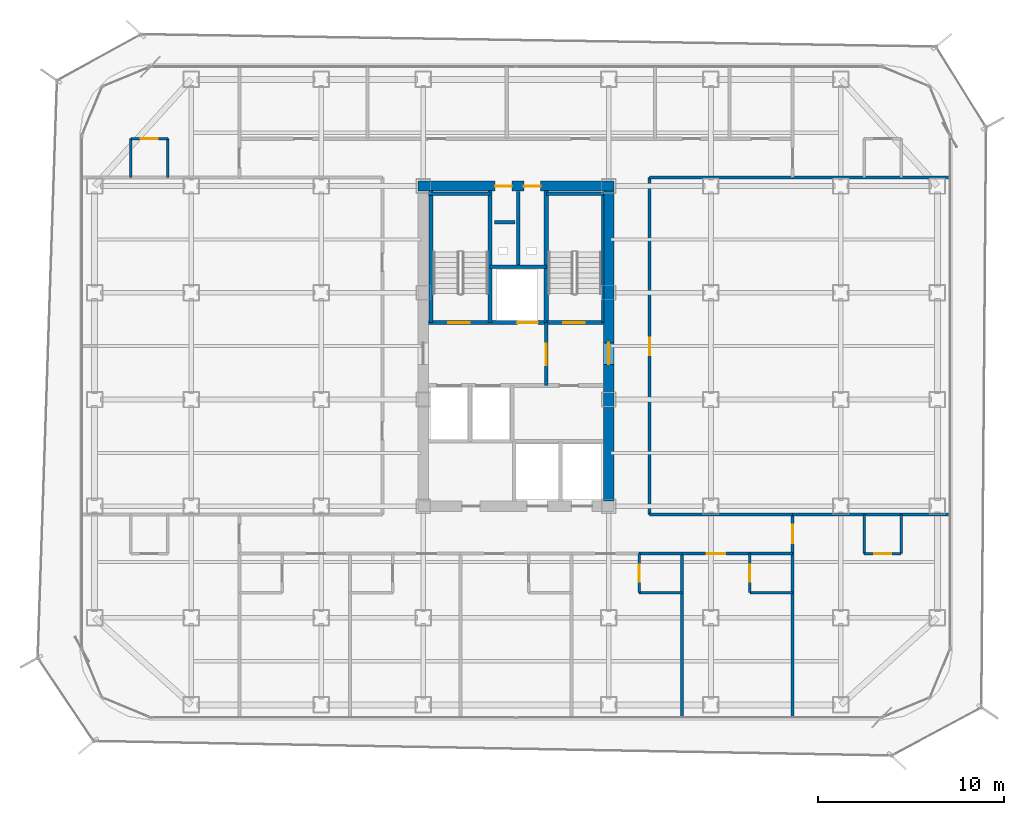
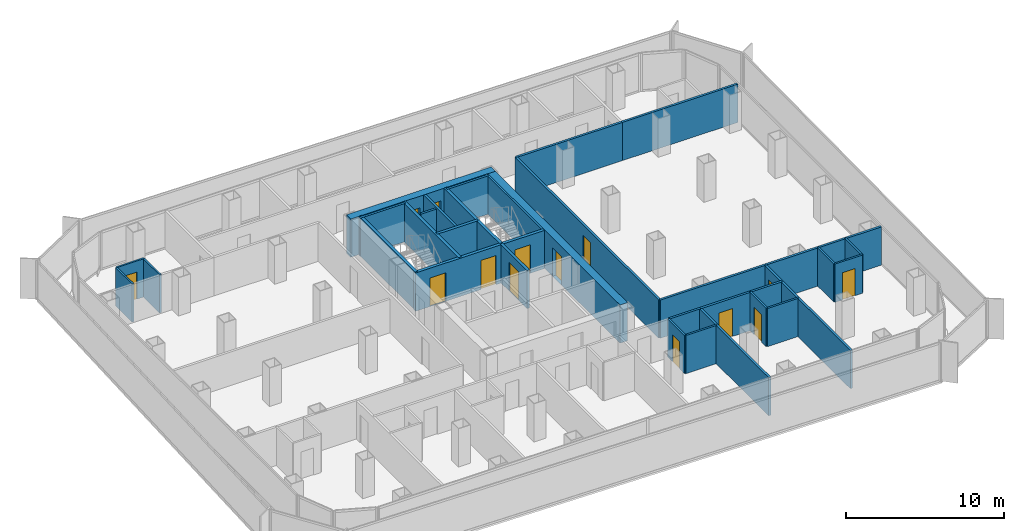
# One storey, part 17 of 21: 34 walls, 14 doors, 14 openings.
"""IFC4 building model written with IfcOpenShell, lengths in metres."""

from ifc_helpers import new_model, si_unit, direction, frame, frame_2d, origin, place, context, subcontext, project, spatial, rectangle, extrude, material, layer, layer_set, type_object, element, fill, save


model = new_model("IFC4")

# Units and contexts
model_context = context("Model", 3, precision=1e-05, world=origin(), true_north=direction((0.0, 1.0)))
body_context = subcontext(model_context, "Body", "Model", "MODEL_VIEW")
ifc_project = project(units=[si_unit("LENGTHUNIT", "METRE"), si_unit("AREAUNIT", "SQUARE_METRE"), si_unit("VOLUMEUNIT", "CUBIC_METRE"), si_unit("PLANEANGLEUNIT", "RADIAN"), si_unit("MASSUNIT", "GRAM", prefix="KILO")], contexts=[model_context])

# Site, building, storey
site_placement = place(None, origin())
site = spatial("IfcSite", under=ifc_project, at=site_placement, CompositionType="ELEMENT")
building_placement = place(site_placement, origin())
building = spatial("IfcBuilding", under=site, at=building_placement, Name="Kolveth Station Tower", CompositionType="ELEMENT")
storey_placement = place(building_placement, frame((0.0, 0.0, 111.89990234375)))
storey = spatial("IfcBuildingStorey", under=building, at=storey_placement, Name="L30", CompositionType="ELEMENT", Elevation=111.89990234375)

# Wall, openings, doors
ifc_material_1 = material(Name="Concrete C60/75", Category="concrete")
ifc_layer_1 = layer(ifc_material_1, 0.550048828125)
ifc_layer_set_1 = layer_set([ifc_layer_1], Name="Concrete C60/75")
wall_type_1 = type_object("IfcWallType", Name="Wall_CW-550", PredefinedType="SHEAR", material=ifc_layer_set_1)
wall_1_placement = place(storey_placement, frame((18.22509765625, 28.75, 0.0), z_axis=(0.0, 0.0, 1.0), x_axis=(1.0, 0.0, 0.0)))
wall_1 = element("IfcWall", 1, at=wall_1_placement, inside=storey, type_object=wall_type_1, Name="L30 Core RC Shear Wall N", PredefinedType="SHEAR", context=body_context, shape_type="SweptSolid", body=[
    extrude(rectangle(XDim=10.5498046875, YDim=0.550048828125, at=frame_2d((5.27490234375, 0.0))), origin(), (0.0, 0.0, 1.0), 2.9501953125),
])
opening_1_placement = place(wall_1_placement, frame((4.155029296875, 0.0, 0.0)))
opening_1 = element("IfcOpeningElement", 2, at=opening_1_placement, cuts=wall_1, Name="Opening RD1", PredefinedType="OPENING", context=body_context, shape_type="SweptSolid", body=[
    extrude(rectangle(XDim=0.89990234375, YDim=2.050048828125, at=frame_2d((0.449951171875, 1.02490234375))), frame((0.0, 0.284912109375, 0.0), z_axis=(0.0, -1.0, 0.0), x_axis=(1.0, 0.0, 0.0)), (0.0, 0.0, 1.0), 0.570068359375),
])
opening_2_placement = place(wall_1_placement, frame((5.695068359375, 0.0, 0.0)))
opening_2 = element("IfcOpeningElement", 3, at=opening_2_placement, cuts=wall_1, Name="Opening RD1", PredefinedType="OPENING", context=body_context, shape_type="SweptSolid", body=[
    extrude(rectangle(XDim=0.89990234375, YDim=2.050048828125, at=frame_2d((0.449951171875, 1.02490234375))), frame((0.0, 0.284912109375, 0.0), z_axis=(0.0, -1.0, 0.0), x_axis=(1.0, 0.0, 0.0)), (0.0, 0.0, 1.0), 0.570068359375),
])
ifc_material_2 = material(Name="Fire-rated Steel S355 riser access leaf", Category="steel")
door_type_1 = type_object("IfcDoorType", Name="Door_RD1", OperationType="NOTDEFINED", PredefinedType="DOOR", material=ifc_material_2)
door_1_placement = place(opening_1_placement, origin())
door_1 = element("IfcDoor", 4, at=door_1_placement, inside=storey, type_object=door_type_1, Name="L30 Electrical Riser Access Door", OperationType="SINGLE_SWING_LEFT", OverallHeight=2.050048828125, OverallWidth=0.89990234375, PredefinedType="DOOR", context=body_context, shape_type="SweptSolid", body=[
    extrude(rectangle(XDim=0.89990234375, YDim=2.050048828125, at=frame_2d((0.449951171875, 1.02490234375))), frame((0.0, 0.02490234375, 0.0), z_axis=(0.0, -1.0, 0.0), x_axis=(1.0, 0.0, 0.0)), (0.0, 0.0, 1.0), 0.050048828125),
])
fill(opening_1, door_1)
door_2_placement = place(opening_2_placement, origin())
door_2 = element("IfcDoor", 5, at=door_2_placement, inside=storey, type_object=door_type_1, Name="L30 Smoke Duct Access Door", OperationType="SINGLE_SWING_RIGHT", OverallHeight=2.050048828125, OverallWidth=0.89990234375, PredefinedType="DOOR", context=body_context, shape_type="SweptSolid", body=[
    extrude(rectangle(XDim=0.89990234375, YDim=2.050048828125, at=frame_2d((0.449951171875, 1.02490234375))), frame((0.0, 0.02490234375, 0.0), z_axis=(0.0, -1.0, 0.0), x_axis=(1.0, 0.0, 0.0)), (0.0, 0.0, 1.0), 0.050048828125),
])
fill(opening_2, door_2)

# Wall, opening, door
wall_2_placement = place(storey_placement, frame((28.5, 11.77490234375, 0.0), z_axis=(0.0, 0.0, 1.0), x_axis=(0.0, 1.0, 0.0)))
wall_2 = element("IfcWall", 6, at=wall_2_placement, inside=storey, type_object=wall_type_1, Name="L30 Core RC Shear Wall E", PredefinedType="SHEAR", context=body_context, shape_type="SweptSolid", body=[
    extrude(rectangle(XDim=16.7001953125, YDim=0.550048828125, at=frame_2d((8.35009765625, 0.0))), origin(), (0.0, 0.0, 1.0), 2.9501953125),
])
opening_3_placement = place(wall_2_placement, frame((7.375, 0.0, 0.0)))
opening_3 = element("IfcOpeningElement", 7, at=opening_3_placement, cuts=wall_2, Name="Opening FD1", PredefinedType="OPENING", context=body_context, shape_type="SweptSolid", body=[
    extrude(rectangle(XDim=1.14990234375, YDim=2.199951171875, at=frame_2d((0.574951171875, 1.10009765625))), frame((0.0, 0.284912109375, 0.0), z_axis=(0.0, -1.0, 0.0), x_axis=(1.0, 0.0, 0.0)), (0.0, 0.0, 1.0), 0.570068359375),
])
ifc_material_3 = material(Name="Fire-rated Steel S355 leaf and frame", Category="steel")
door_type_2 = type_object("IfcDoorType", Name="Door_FD1", OperationType="NOTDEFINED", PredefinedType="DOOR", material=ifc_material_3)
door_3_placement = place(opening_3_placement, origin())
door_3 = element("IfcDoor", 8, at=door_3_placement, inside=storey, type_object=door_type_2, Name="L30 East Corridor to Stair Lobby Door", OperationType="SINGLE_SWING_RIGHT", OverallHeight=2.199951171875, OverallWidth=1.14990234375, PredefinedType="DOOR", context=body_context, shape_type="SweptSolid", body=[
    extrude(rectangle(XDim=1.14990234375, YDim=2.199951171875, at=frame_2d((0.574951171875, 1.10009765625))), frame((0.0, 0.02490234375, 0.0), z_axis=(0.0, -1.0, 0.0), x_axis=(1.0, 0.0, 0.0)), (0.0, 0.0, 1.0), 0.050048828125),
])
fill(opening_3, door_3)

# Walls
ifc_material_4 = material(Name="Moisture-resistant gypsum partition")
ifc_layer_2 = layer(ifc_material_4, 0.135009765625)
ifc_layer_set_2 = layer_set([ifc_layer_2], Name="Moisture-resistant gypsum partition")
wall_type_2 = type_object("IfcWallType", Name="Wall_IW-135", PredefinedType="PARTITIONING", material=ifc_layer_set_2)
wall_3_placement = place(storey_placement, frame((28.16748046875, 21.389892578125, 0.0), z_axis=(0.0, 0.0, 1.0), x_axis=(0.0, 1.0, 0.0)))
element("IfcWall", 9, at=wall_3_placement, inside=storey, type_object=wall_type_2, Name="L30 Stair Shaft Wall WL-L30-ST2-E", PredefinedType="PARTITIONING", context=body_context, shape_type="SweptSolid", body=[
    extrude(rectangle(XDim=6.945068359375, YDim=0.135009765625, at=frame_2d((3.47265625, 0.0))), origin(), (0.0, 0.0, 1.0), 2.9501953125),
])
for number, where, z_axis, x_axis, name in (
    (10, (2.75, 29.199951171875, 0.0), (0.0, 0.0, 1.0), (0.0, 1.0, 0.0), "L30 Partition Wall WL-L30-WS2-BV1"),
    (11, (4.75, 29.199951171875, 0.0), (0.0, 0.0, 1.0), (0.0, 1.0, 0.0), "L30 Partition Wall WL-L30-WS2-BV2"),
):
    element("IfcWall", number, at=place(storey_placement, frame(where, z_axis=z_axis, x_axis=x_axis)), inside=storey, type_object=wall_type_2, Name=name, PredefinedType="PARTITIONING", context=body_context, shape_type="SweptSolid", body=[
        extrude(rectangle(XDim=2.10009765625, YDim=0.135009765625, at=frame_2d((1.050048828125, 0.0))), origin(), (0.0, 0.0, 1.0), 2.9501953125),
    ])

# Wall, opening, door
wall_4_placement = place(storey_placement, frame((2.75, 31.300048828125, 0.0), z_axis=(0.0, 0.0, 1.0), x_axis=(1.0, 0.0, 0.0)))
wall_4 = element("IfcWall", 12, at=wall_4_placement, inside=storey, type_object=wall_type_2, Name="L30 Partition Wall WL-L30-WS2-BH", PredefinedType="PARTITIONING", context=body_context, shape_type="SweptSolid", body=[
    extrude(rectangle(XDim=2.0, YDim=0.135009765625, at=frame_2d((1.0, 0.0))), origin(), (0.0, 0.0, 1.0), 2.9501953125),
])
opening_4_placement = place(wall_4_placement, frame((0.5400390625, 0.0, 0.0)))
opening_4 = element("IfcOpeningElement", 13, at=opening_4_placement, cuts=wall_4, Name="Opening ID2", PredefinedType="OPENING", context=body_context, shape_type="SweptSolid", body=[
    extrude(rectangle(XDim=0.919921875, YDim=2.10009765625, at=frame_2d((0.4599609375, 1.050048828125))), frame((0.0, 0.077392578125, 0.0), z_axis=(0.0, -1.0, 0.0), x_axis=(1.0, 0.0, 0.0)), (0.0, 0.0, 1.0), 0.155029296875),
])
ifc_material_5 = material(Name="Moisture-resistant hardwood leaf", Category="wood")
door_type_3 = type_object("IfcDoorType", Name="Door_ID2", OperationType="NOTDEFINED", PredefinedType="DOOR", material=ifc_material_5)
door_4_placement = place(opening_4_placement, frame((0.919921875, 0.0, 0.0), z_axis=(0.0, 0.0, 1.0), x_axis=(-1.0, 0.0, 0.0)))
door_4 = element("IfcDoor", 14, at=door_4_placement, inside=storey, type_object=door_type_3, Name="L30 Hotel Corner Suite WS2 En-Suite Door", OperationType="SINGLE_SWING_RIGHT", OverallHeight=2.10009765625, OverallWidth=0.919921875, PredefinedType="DOOR", context=body_context, shape_type="SweptSolid", body=[
    extrude(rectangle(XDim=0.919921875, YDim=2.10009765625, at=frame_2d((0.4599609375, 1.050048828125))), frame((0.0, 0.02490234375, 0.0), z_axis=(0.0, -1.0, 0.0), x_axis=(1.0, 0.0, 0.0)), (0.0, 0.0, 1.0), 0.050048828125),
])
fill(opening_4, door_4)

# Walls
for number, where, z_axis, x_axis, name in (
    (15, (42.25, 8.949951171875, 0.0), (0.0, 0.0, 1.0), (0.0, 1.0, 0.0), "L30 Partition Wall WL-L30-ES1-BV1"),
    (16, (44.25, 8.949951171875, 0.0), (0.0, 0.0, 1.0), (0.0, 1.0, 0.0), "L30 Partition Wall WL-L30-ES1-BV2"),
):
    element("IfcWall", number, at=place(storey_placement, frame(where, z_axis=z_axis, x_axis=x_axis)), inside=storey, type_object=wall_type_2, Name=name, PredefinedType="PARTITIONING", context=body_context, shape_type="SweptSolid", body=[
        extrude(rectangle(XDim=2.10009765625, YDim=0.135009765625, at=frame_2d((1.050048828125, 0.0))), origin(), (0.0, 0.0, 1.0), 2.9501953125),
    ])

# Wall, opening, door
wall_5_placement = place(storey_placement, frame((42.25, 8.949951171875, 0.0), z_axis=(0.0, 0.0, 1.0), x_axis=(1.0, 0.0, 0.0)))
wall_5 = element("IfcWall", 17, at=wall_5_placement, inside=storey, type_object=wall_type_2, Name="L30 Partition Wall WL-L30-ES1-BH", PredefinedType="PARTITIONING", context=body_context, shape_type="SweptSolid", body=[
    extrude(rectangle(XDim=2.0, YDim=0.135009765625, at=frame_2d((1.0, 0.0))), origin(), (0.0, 0.0, 1.0), 2.9501953125),
])
opening_5_placement = place(wall_5_placement, frame((0.5400390625, 0.0, 0.0)))
opening_5 = element("IfcOpeningElement", 18, at=opening_5_placement, cuts=wall_5, Name="Opening ID2", PredefinedType="OPENING", context=body_context, shape_type="SweptSolid", body=[
    extrude(rectangle(XDim=0.919921875, YDim=2.10009765625, at=frame_2d((0.4599609375, 1.050048828125))), frame((0.0, 0.077392578125, 0.0), z_axis=(0.0, -1.0, 0.0), x_axis=(1.0, 0.0, 0.0)), (0.0, 0.0, 1.0), 0.155029296875),
])
door_5_placement = place(opening_5_placement, origin())
door_5 = element("IfcDoor", 19, at=door_5_placement, inside=storey, type_object=door_type_3, Name="L30 Hotel Corner Suite ES1 En-Suite Door", OperationType="SINGLE_SWING_LEFT", OverallHeight=2.10009765625, OverallWidth=0.919921875, PredefinedType="DOOR", context=body_context, shape_type="SweptSolid", body=[
    extrude(rectangle(XDim=0.919921875, YDim=2.10009765625, at=frame_2d((0.4599609375, 1.050048828125))), frame((0.0, 0.02490234375, 0.0), z_axis=(0.0, -1.0, 0.0), x_axis=(1.0, 0.0, 0.0)), (0.0, 0.0, 1.0), 0.050048828125),
])
fill(opening_5, door_5)

wall_6_placement = place(storey_placement, frame((30.139892578125, 6.85009765625, 0.0), z_axis=(0.0, 0.0, 1.0), x_axis=(0.0, 1.0, 0.0)))
wall_6 = element("IfcWall", 20, at=wall_6_placement, inside=storey, type_object=wall_type_2, Name="L30 Partition Wall WL-L30-HS4-BV", PredefinedType="PARTITIONING", context=body_context, shape_type="SweptSolid", body=[
    extrude(rectangle(XDim=2.099853515625, YDim=0.135009765625, at=frame_2d((1.0498046875, 0.0))), origin(), (0.0, 0.0, 1.0), 2.9501953125),
])
opening_6_placement = place(wall_6_placement, frame((0.580078125, 0.0, 0.0)))
opening_6 = element("IfcOpeningElement", 21, at=opening_6_placement, cuts=wall_6, Name="Opening ID2", PredefinedType="OPENING", context=body_context, shape_type="SweptSolid", body=[
    extrude(rectangle(XDim=0.919921875, YDim=2.10009765625, at=frame_2d((0.4599609375, 1.050048828125))), frame((0.0, 0.077392578125, 0.0), z_axis=(0.0, -1.0, 0.0), x_axis=(1.0, 0.0, 0.0)), (0.0, 0.0, 1.0), 0.155029296875),
])
door_6_placement = place(opening_6_placement, origin())
door_6 = element("IfcDoor", 22, at=door_6_placement, inside=storey, type_object=door_type_3, Name="L30 Hotel Guest Room HS4 En-Suite Door", OperationType="SINGLE_SWING_LEFT", OverallHeight=2.10009765625, OverallWidth=0.919921875, PredefinedType="DOOR", context=body_context, shape_type="SweptSolid", body=[
    extrude(rectangle(XDim=0.919921875, YDim=2.10009765625, at=frame_2d((0.4599609375, 1.050048828125))), frame((0.0, 0.02490234375, 0.0), z_axis=(0.0, -1.0, 0.0), x_axis=(1.0, 0.0, 0.0)), (0.0, 0.0, 1.0), 0.050048828125),
])
fill(opening_6, door_6)

# Wall
wall_7_placement = place(storey_placement, frame((30.139892578125, 6.85009765625, 0.0), z_axis=(0.0, 0.0, 1.0), x_axis=(1.0, 0.0, 0.0)))
element("IfcWall", 23, at=wall_7_placement, inside=storey, type_object=wall_type_2, Name="L30 Partition Wall WL-L30-HS4-BH", PredefinedType="PARTITIONING", context=body_context, shape_type="SweptSolid", body=[
    extrude(rectangle(XDim=2.300048828125, YDim=0.135009765625, at=frame_2d((1.14990234375, 0.0))), origin(), (0.0, 0.0, 1.0), 2.9501953125),
])

# Wall, opening, door
wall_8_placement = place(storey_placement, frame((36.10009765625, 6.85009765625, 0.0), z_axis=(0.0, 0.0, 1.0), x_axis=(0.0, 1.0, 0.0)))
wall_8 = element("IfcWall", 24, at=wall_8_placement, inside=storey, type_object=wall_type_2, Name="L30 Partition Wall WL-L30-HS5-BV", PredefinedType="PARTITIONING", context=body_context, shape_type="SweptSolid", body=[
    extrude(rectangle(XDim=2.099853515625, YDim=0.135009765625, at=frame_2d((1.0498046875, 0.0))), origin(), (0.0, 0.0, 1.0), 2.9501953125),
])
opening_7_placement = place(wall_8_placement, frame((0.580078125, 0.0, 0.0)))
opening_7 = element("IfcOpeningElement", 25, at=opening_7_placement, cuts=wall_8, Name="Opening ID2", PredefinedType="OPENING", context=body_context, shape_type="SweptSolid", body=[
    extrude(rectangle(XDim=0.919921875, YDim=2.10009765625, at=frame_2d((0.4599609375, 1.050048828125))), frame((0.0, 0.077392578125, 0.0), z_axis=(0.0, -1.0, 0.0), x_axis=(1.0, 0.0, 0.0)), (0.0, 0.0, 1.0), 0.155029296875),
])
door_7_placement = place(opening_7_placement, origin())
door_7 = element("IfcDoor", 26, at=door_7_placement, inside=storey, type_object=door_type_3, Name="L30 Hotel Guest Room HS5 En-Suite Door", OperationType="SINGLE_SWING_RIGHT", OverallHeight=2.10009765625, OverallWidth=0.919921875, PredefinedType="DOOR", context=body_context, shape_type="SweptSolid", body=[
    extrude(rectangle(XDim=0.919921875, YDim=2.10009765625, at=frame_2d((0.4599609375, 1.050048828125))), frame((0.0, 0.02490234375, 0.0), z_axis=(0.0, -1.0, 0.0), x_axis=(1.0, 0.0, 0.0)), (0.0, 0.0, 1.0), 0.050048828125),
])
fill(opening_7, door_7)

# Walls
wall_9_placement = place(storey_placement, frame((36.10009765625, 6.85009765625, 0.0), z_axis=(0.0, 0.0, 1.0), x_axis=(1.0, 0.0, 0.0)))
element("IfcWall", 27, at=wall_9_placement, inside=storey, type_object=wall_type_2, Name="L30 Partition Wall WL-L30-HS5-BH", PredefinedType="PARTITIONING", context=body_context, shape_type="SweptSolid", body=[
    extrude(rectangle(XDim=2.2998046875, YDim=0.135009765625, at=frame_2d((1.14990234375, 0.0))), origin(), (0.0, 0.0, 1.0), 2.9501953125),
])
ifc_material_6 = material(Name="Acoustic double-stud gypsum partition")
ifc_layer_3 = layer(ifc_material_6, 0.1650390625)
ifc_layer_set_3 = layer_set([ifc_layer_3], Name="Acoustic double-stud gypsum partition")
wall_type_3 = type_object("IfcWallType", Name="Wall_IW-165", PredefinedType="PARTITIONING", material=ifc_layer_set_3)
wall_10_placement = place(storey_placement, frame((18.784912109375, 28.3349609375, 0.0), z_axis=(0.0, 0.0, 1.0), x_axis=(1.0, 0.0, 0.0)))
element("IfcWall", 28, at=wall_10_placement, inside=storey, type_object=wall_type_3, Name="L30 Stair Shaft Wall WL-L30-ST1-N", PredefinedType="PARTITIONING", context=body_context, shape_type="SweptSolid", body=[
    extrude(rectangle(XDim=3.3251953125, YDim=0.1650390625, at=frame_2d((1.66259765625, 0.0))), origin(), (0.0, 0.0, 1.0), 2.9501953125),
])
wall_11_placement = place(storey_placement, frame((25.1298828125, 28.3349609375, 0.0), z_axis=(0.0, 0.0, 1.0), x_axis=(1.0, 0.0, 0.0)))
element("IfcWall", 29, at=wall_11_placement, inside=storey, type_object=wall_type_3, Name="L30 Stair Shaft Wall WL-L30-ST2-N", PredefinedType="PARTITIONING", context=body_context, shape_type="SweptSolid", body=[
    extrude(rectangle(XDim=3.085205078125, YDim=0.1650390625, at=frame_2d((1.54248046875, 0.0))), origin(), (0.0, 0.0, 1.0), 2.9501953125),
])
wall_12_placement = place(storey_placement, frame((23.6201171875, 24.39990234375, 0.0), z_axis=(0.0, 0.0, 1.0), x_axis=(0.0, 1.0, 0.0)))
element("IfcWall", 30, at=wall_12_placement, inside=storey, type_object=wall_type_3, Name="L30 Partition Wall WL-L30-RSR-M", PredefinedType="PARTITIONING", context=body_context, shape_type="SweptSolid", body=[
    extrude(rectangle(XDim=4.065185546875, YDim=0.1650390625, at=frame_2d((2.03271484375, 0.0))), origin(), (0.0, 0.0, 1.0), 2.9501953125),
])
for number, where, z_axis, x_axis, name in (
    (31, (30.699951171875, 11.050048828125, 0.0), (0.0, 0.0, 1.0), (1.0, 0.0, 0.0), "L30 Partition Wall WL-L30-HSET"),
    (32, (30.699951171875, 29.199951171875, 0.0), (0.0, 0.0, 1.0), (1.0, 0.0, 0.0), "L30 Partition Wall WL-L30-HNEB"),
):
    element("IfcWall", number, at=place(storey_placement, frame(where, z_axis=z_axis, x_axis=x_axis)), inside=storey, type_object=wall_type_3, Name=name, PredefinedType="PARTITIONING", context=body_context, shape_type="SweptSolid", body=[
        extrude(rectangle(XDim=7.699951171875, YDim=0.1650390625, at=frame_2d((3.85009765625, 0.0))), origin(), (0.0, 0.0, 1.0), 2.9501953125),
    ])

# Wall, opening, door
wall_13_placement = place(storey_placement, frame((30.699951171875, 11.050048828125, 0.0), z_axis=(0.0, 0.0, 1.0), x_axis=(0.0, 1.0, 0.0)))
wall_13 = element("IfcWall", 33, at=wall_13_placement, inside=storey, type_object=wall_type_3, Name="L30 Partition Wall WL-L30-HE", PredefinedType="PARTITIONING", context=body_context, shape_type="SweptSolid", body=[
    extrude(rectangle(XDim=18.14990234375, YDim=0.1650390625, at=frame_2d((9.074951171875, 0.0))), origin(), (0.0, 0.0, 1.0), 2.9501953125),
])
opening_8_placement = place(wall_13_placement, frame((8.574951171875, 0.0, 0.0)))
opening_8 = element("IfcOpeningElement", 34, at=opening_8_placement, cuts=wall_13, Name="Opening ID1", PredefinedType="OPENING", context=body_context, shape_type="SweptSolid", body=[
    extrude(rectangle(XDim=0.949951171875, YDim=2.14990234375, at=frame_2d((0.47509765625, 1.074951171875))), frame((0.0, 0.092529296875, 0.0), z_axis=(0.0, -1.0, 0.0), x_axis=(1.0, 0.0, 0.0)), (0.0, 0.0, 1.0), 0.18505859375),
])
ifc_material_7 = material(Name="Acoustic hardwood leaf and aluminium frame", Category="wood")
door_type_4 = type_object("IfcDoorType", Name="Door_ID1", OperationType="NOTDEFINED", PredefinedType="DOOR", material=ifc_material_7)
door_8_placement = place(opening_8_placement, origin())
door_8 = element("IfcDoor", 35, at=door_8_placement, inside=storey, type_object=door_type_4, Name="L30 Hotel Sky Lounge East Door", OperationType="SINGLE_SWING_LEFT", OverallHeight=2.14990234375, OverallWidth=0.949951171875, PredefinedType="DOOR", context=body_context, shape_type="SweptSolid", body=[
    extrude(rectangle(XDim=0.949951171875, YDim=2.14990234375, at=frame_2d((0.47509765625, 1.074951171875))), frame((0.0, 0.02490234375, 0.0), z_axis=(0.0, -1.0, 0.0), x_axis=(1.0, 0.0, 0.0)), (0.0, 0.0, 1.0), 0.050048828125),
])
fill(opening_8, door_8)

wall_14_placement = place(storey_placement, frame((38.39990234375, 0.159912109375, 0.0), z_axis=(0.0, 0.0, 1.0), x_axis=(0.0, 1.0, 0.0)))
wall_14 = element("IfcWall", 36, at=wall_14_placement, inside=storey, type_object=wall_type_3, Name="L30 Partition Wall WL-L30-END-ES", PredefinedType="PARTITIONING", context=body_context, shape_type="SweptSolid", body=[
    extrude(rectangle(XDim=10.89013671875, YDim=0.1650390625, at=frame_2d((5.445068359375, 0.0))), origin(), (0.0, 0.0, 1.0), 2.9501953125),
])
opening_9_placement = place(wall_14_placement, frame((9.340087890625, 0.0, 0.0)))
opening_9 = element("IfcOpeningElement", 37, at=opening_9_placement, cuts=wall_14, Name="Opening FD3", PredefinedType="OPENING", context=body_context, shape_type="SweptSolid", body=[
    extrude(rectangle(XDim=1.0, YDim=2.14990234375, at=frame_2d((0.5, 1.074951171875))), frame((0.0, 0.092529296875, 0.0), z_axis=(0.0, -1.0, 0.0), x_axis=(1.0, 0.0, 0.0)), (0.0, 0.0, 1.0), 0.18505859375),
])
ifc_material_8 = material(Name="Fire-rated hardwood leaf and aluminium frame", Category="wood")
door_type_5 = type_object("IfcDoorType", Name="Door_FD3", OperationType="NOTDEFINED", PredefinedType="DOOR", material=ifc_material_8)
door_9_placement = place(opening_9_placement, frame((1.0, 0.0, 0.0), z_axis=(0.0, 0.0, 1.0), x_axis=(-1.0, 0.0, 0.0)))
door_9 = element("IfcDoor", 38, at=door_9_placement, inside=storey, type_object=door_type_5, Name="L30 Hotel Corner Suite ES1 Entrance Door", OperationType="SINGLE_SWING_LEFT", OverallHeight=2.14990234375, OverallWidth=1.0, PredefinedType="DOOR", context=body_context, shape_type="SweptSolid", body=[
    extrude(rectangle(XDim=1.0, YDim=2.14990234375, at=frame_2d((0.5, 1.074951171875))), frame((0.0, 0.02490234375, 0.0), z_axis=(0.0, -1.0, 0.0), x_axis=(1.0, 0.0, 0.0)), (0.0, 0.0, 1.0), 0.050048828125),
])
fill(opening_9, door_9)

# Walls
for number, where, z_axis, x_axis, name in (
    (39, (38.39990234375, 11.050048828125, 0.0), (0.0, 0.0, 1.0), (1.0, 0.0, 0.0), "L30 Partition Wall WL-L30-EM1"),
    (40, (38.39990234375, 29.199951171875, 0.0), (0.0, 0.0, 1.0), (1.0, 0.0, 0.0), "L30 Partition Wall WL-L30-EM2"),
):
    element("IfcWall", number, at=place(storey_placement, frame(where, z_axis=z_axis, x_axis=x_axis)), inside=storey, type_object=wall_type_3, Name=name, PredefinedType="PARTITIONING", context=body_context, shape_type="SweptSolid", body=[
        extrude(rectangle(XDim=8.440185546875, YDim=0.1650390625, at=frame_2d((4.22021484375, 0.0))), origin(), (0.0, 0.0, 1.0), 2.9501953125),
    ])
wall_15_placement = place(storey_placement, frame((30.139892578125, 8.949951171875, 0.0), z_axis=(0.0, 0.0, 1.0), x_axis=(1.0, 0.0, 0.0)))
element("IfcWall", 41, at=wall_15_placement, inside=storey, type_object=wall_type_3, Name="L30 Partition Wall WL-L30-HS4-BCOR", PredefinedType="PARTITIONING", context=body_context, shape_type="SweptSolid", body=[
    extrude(rectangle(XDim=2.300048828125, YDim=0.1650390625, at=frame_2d((1.14990234375, 0.0))), origin(), (0.0, 0.0, 1.0), 2.9501953125),
])
wall_16_placement = place(storey_placement, frame((32.43994140625, 0.159912109375, 0.0), z_axis=(0.0, 0.0, 1.0), x_axis=(0.0, 1.0, 0.0)))
element("IfcWall", 42, at=wall_16_placement, inside=storey, type_object=wall_type_3, Name="L30 Partition Wall WL-L30-HSK-4", PredefinedType="PARTITIONING", context=body_context, shape_type="SweptSolid", body=[
    extrude(rectangle(XDim=8.7900390625, YDim=0.1650390625, at=frame_2d((4.39501953125, 0.0))), origin(), (0.0, 0.0, 1.0), 2.9501953125),
])
wall_17_placement = place(storey_placement, frame((36.10009765625, 8.949951171875, 0.0), z_axis=(0.0, 0.0, 1.0), x_axis=(1.0, 0.0, 0.0)))
element("IfcWall", 43, at=wall_17_placement, inside=storey, type_object=wall_type_3, Name="L30 Partition Wall WL-L30-HS5-BCOR", PredefinedType="PARTITIONING", context=body_context, shape_type="SweptSolid", body=[
    extrude(rectangle(XDim=2.2998046875, YDim=0.1650390625, at=frame_2d((1.14990234375, 0.0))), origin(), (0.0, 0.0, 1.0), 2.9501953125),
])

# Wall, opening, door
wall_18_placement = place(storey_placement, frame((32.43994140625, 8.949951171875, 0.0), z_axis=(0.0, 0.0, 1.0), x_axis=(1.0, 0.0, 0.0)))
wall_18 = element("IfcWall", 44, at=wall_18_placement, inside=storey, type_object=wall_type_3, Name="L30 Partition Wall WL-L30-HS5-RCOR", PredefinedType="PARTITIONING", context=body_context, shape_type="SweptSolid", body=[
    extrude(rectangle(XDim=3.66015625, YDim=0.1650390625, at=frame_2d((1.830078125, 0.0))), origin(), (0.0, 0.0, 1.0), 2.9501953125),
])
opening_10_placement = place(wall_18_placement, frame((1.330078125, 0.0, 0.0)))
opening_10 = element("IfcOpeningElement", 45, at=opening_10_placement, cuts=wall_18, Name="Opening FD3", PredefinedType="OPENING", context=body_context, shape_type="SweptSolid", body=[
    extrude(rectangle(XDim=1.0, YDim=2.14990234375, at=frame_2d((0.5, 1.074951171875))), frame((0.0, 0.092529296875, 0.0), z_axis=(0.0, -1.0, 0.0), x_axis=(1.0, 0.0, 0.0)), (0.0, 0.0, 1.0), 0.18505859375),
])
door_10_placement = place(opening_10_placement, frame((1.0, 0.0, 0.0), z_axis=(0.0, 0.0, 1.0), x_axis=(-1.0, 0.0, 0.0)))
door_10 = element("IfcDoor", 46, at=door_10_placement, inside=storey, type_object=door_type_5, Name="L30 Hotel Guest Room HS5 Entrance Door", OperationType="SINGLE_SWING_LEFT", OverallHeight=2.14990234375, OverallWidth=1.0, PredefinedType="DOOR", context=body_context, shape_type="SweptSolid", body=[
    extrude(rectangle(XDim=1.0, YDim=2.14990234375, at=frame_2d((0.5, 1.074951171875))), frame((0.0, 0.02490234375, 0.0), z_axis=(0.0, -1.0, 0.0), x_axis=(1.0, 0.0, 0.0)), (0.0, 0.0, 1.0), 0.050048828125),
])
fill(opening_10, door_10)

# Walls
wall_19_placement = place(storey_placement, frame((22.35009765625, 26.800048828125, 0.0), z_axis=(0.0, 0.0, 1.0), x_axis=(1.0, 0.0, 0.0)))
element("IfcWall", 47, at=wall_19_placement, inside=storey, type_object=wall_type_3, Name="L30 Acoustic Riser Dry-Lining Wall", PredefinedType="PARTITIONING", context=body_context, shape_type="SweptSolid", body=[
    extrude(rectangle(XDim=1.099853515625, YDim=0.1650390625, at=frame_2d((0.5498046875, 0.0))), origin(), (0.0, 0.0, 1.0), 2.9501953125),
])
ifc_material_9 = material(Name="Acoustic fire-rated gypsum blockwork", Category="masonry")
ifc_layer_4 = layer(ifc_material_9, 0.199951171875)
ifc_layer_set_4 = layer_set([ifc_layer_4], Name="Acoustic fire-rated gypsum blockwork")
wall_type_4 = type_object("IfcWallType", Name="Wall_IW-200", PredefinedType="PARTITIONING", material=ifc_layer_set_4)
wall_20_placement = place(storey_placement, frame((22.110107421875, 24.39990234375, 0.0), z_axis=(0.0, 0.0, 1.0), x_axis=(1.0, 0.0, 0.0)))
element("IfcWall", 48, at=wall_20_placement, inside=storey, type_object=wall_type_4, Name="L30 Partition Wall WL-L30-RSR-S", PredefinedType="PARTITIONING", context=body_context, shape_type="SweptSolid", body=[
    extrude(rectangle(XDim=3.019775390625, YDim=0.199951171875, at=frame_2d((1.509765625, 0.0))), origin(), (0.0, 0.0, 1.0), 2.9501953125),
])

# Wall, opening, door
wall_21_placement = place(storey_placement, frame((25.1298828125, 18.0, 0.0), z_axis=(0.0, 0.0, 1.0), x_axis=(0.0, 1.0, 0.0)))
wall_21 = element("IfcWall", 49, at=wall_21_placement, inside=storey, type_object=wall_type_4, Name="L30 Partition Wall WL-L30-FFL-E", PredefinedType="PARTITIONING", context=body_context, shape_type="SweptSolid", body=[
    extrude(rectangle(XDim=3.389892578125, YDim=0.199951171875, at=frame_2d((1.69482421875, 0.0))), origin(), (0.0, 0.0, 1.0), 2.9501953125),
])
opening_11_placement = place(wall_21_placement, frame((1.10009765625, 0.0, 0.0)))
opening_11 = element("IfcOpeningElement", 50, at=opening_11_placement, cuts=wall_21, Name="Opening FD1", PredefinedType="OPENING", context=body_context, shape_type="SweptSolid", body=[
    extrude(rectangle(XDim=1.14990234375, YDim=2.199951171875, at=frame_2d((0.574951171875, 1.10009765625))), frame((0.0, 0.10986328125, 0.0), z_axis=(0.0, -1.0, 0.0), x_axis=(1.0, 0.0, 0.0)), (0.0, 0.0, 1.0), 0.219970703125),
])
door_11_placement = place(opening_11_placement, origin())
door_11 = element("IfcDoor", 51, at=door_11_placement, inside=storey, type_object=door_type_2, Name="L30 Firefighting to Stair Lobby Door", OperationType="SINGLE_SWING_LEFT", OverallHeight=2.199951171875, OverallWidth=1.14990234375, PredefinedType="DOOR", context=body_context, shape_type="SweptSolid", body=[
    extrude(rectangle(XDim=1.14990234375, YDim=2.199951171875, at=frame_2d((0.574951171875, 1.10009765625))), frame((0.0, 0.02490234375, 0.0), z_axis=(0.0, -1.0, 0.0), x_axis=(1.0, 0.0, 0.0)), (0.0, 0.0, 1.0), 0.050048828125),
])
fill(opening_11, door_11)

# Walls
ifc_material_10 = material(Name="Concrete C40/50", Category="concrete")
ifc_layer_5 = layer(ifc_material_10, 0.219970703125)
ifc_layer_set_5 = layer_set([ifc_layer_5], Name="Concrete C40/50")
wall_type_5 = type_object("IfcWallType", Name="Wall_IW-220", PredefinedType="SOLIDWALL", material=ifc_layer_set_5)
for number, where, z_axis, x_axis, name in (
    (52, (18.929931640625, 21.389892578125, 0.0), (0.0, 0.0, 1.0), (0.0, 1.0, 0.0), "L30 Stair Shaft Wall WL-L30-ST1-W"),
    (53, (22.110107421875, 21.389892578125, 0.0), (0.0, 0.0, 1.0), (0.0, 1.0, 0.0), "L30 Stair Shaft Wall WL-L30-ST1-E"),
    (54, (25.1298828125, 21.389892578125, 0.0), (0.0, 0.0, 1.0), (0.0, 1.0, 0.0), "L30 Stair Shaft Wall WL-L30-ST2-W"),
):
    element("IfcWall", number, at=place(storey_placement, frame(where, z_axis=z_axis, x_axis=x_axis)), inside=storey, type_object=wall_type_5, Name=name, PredefinedType="SOLIDWALL", context=body_context, shape_type="SweptSolid", body=[
        extrude(rectangle(XDim=7.110107421875, YDim=0.219970703125, at=frame_2d((3.55517578125, 0.0))), origin(), (0.0, 0.0, 1.0), 2.9501953125),
    ])

# Wall, openings, doors
wall_22_placement = place(storey_placement, frame((18.784912109375, 21.389892578125, 0.0), z_axis=(0.0, 0.0, 1.0), x_axis=(1.0, 0.0, 0.0)))
wall_22 = element("IfcWall", 55, at=wall_22_placement, inside=storey, type_object=wall_type_5, Name="L30 Stair Shaft Wall WL-L30-ST1-S", PredefinedType="SOLIDWALL", context=body_context, shape_type="SweptSolid", body=[
    extrude(rectangle(XDim=6.344970703125, YDim=0.219970703125, at=frame_2d((3.17236328125, 0.0))), origin(), (0.0, 0.0, 1.0), 2.9501953125),
])
opening_12_placement = place(wall_22_placement, frame((1.06494140625, 0.0, 0.0)))
opening_12 = element("IfcOpeningElement", 56, at=opening_12_placement, cuts=wall_22, Name="Opening FD1", PredefinedType="OPENING", context=body_context, shape_type="SweptSolid", body=[
    extrude(rectangle(XDim=1.14990234375, YDim=2.199951171875, at=frame_2d((0.574951171875, 1.10009765625))), frame((0.0, 0.119873046875, 0.0), z_axis=(0.0, -1.0, 0.0), x_axis=(1.0, 0.0, 0.0)), (0.0, 0.0, 1.0), 0.239990234375),
])
opening_13_placement = place(wall_22_placement, frame((4.794921875, 0.0, 0.0)))
opening_13 = element("IfcOpeningElement", 57, at=opening_13_placement, cuts=wall_22, Name="Opening LD1", PredefinedType="OPENING", context=body_context, shape_type="SweptSolid", body=[
    extrude(rectangle(XDim=1.10009765625, YDim=2.25, at=frame_2d((0.550048828125, 1.125))), frame((0.0, 0.119873046875, 0.0), z_axis=(0.0, -1.0, 0.0), x_axis=(1.0, 0.0, 0.0)), (0.0, 0.0, 1.0), 0.239990234375),
])
door_12_placement = place(opening_12_placement, frame((1.14990234375, 0.0, 0.0), z_axis=(0.0, 0.0, 1.0), x_axis=(-1.0, 0.0, 0.0)))
door_12 = element("IfcDoor", 58, at=door_12_placement, inside=storey, type_object=door_type_2, Name="L30 Stair ST1 Fire Door", OperationType="SINGLE_SWING_LEFT", OverallHeight=2.199951171875, OverallWidth=1.14990234375, PredefinedType="DOOR", context=body_context, shape_type="SweptSolid", body=[
    extrude(rectangle(XDim=1.14990234375, YDim=2.199951171875, at=frame_2d((0.574951171875, 1.10009765625))), frame((0.0, 0.02490234375, 0.0), z_axis=(0.0, -1.0, 0.0), x_axis=(1.0, 0.0, 0.0)), (0.0, 0.0, 1.0), 0.050048828125),
])
fill(opening_12, door_12)
ifc_material_11 = material(Name="Brushed stainless steel sliding landing doors", Category="steel")
door_type_6 = type_object("IfcDoorType", Name="Door_LD1", OperationType="NOTDEFINED", PredefinedType="DOOR", material=ifc_material_11)
door_13_placement = place(opening_13_placement, frame((1.10009765625, 0.0, 0.0), z_axis=(0.0, 0.0, 1.0), x_axis=(-1.0, 0.0, 0.0)))
door_13 = element("IfcDoor", 59, at=door_13_placement, inside=storey, type_object=door_type_6, Name="L30 Service Lift SV1 Landing Door", OperationType="DOUBLE_DOOR_SLIDING", OverallHeight=2.25, OverallWidth=1.10009765625, PredefinedType="DOOR", context=body_context, shape_type="SweptSolid", body=[
    extrude(rectangle(XDim=1.10009765625, YDim=2.25, at=frame_2d((0.550048828125, 1.125))), frame((0.0, 0.02490234375, 0.0), z_axis=(0.0, -1.0, 0.0), x_axis=(1.0, 0.0, 0.0)), (0.0, 0.0, 1.0), 0.050048828125),
])
fill(opening_13, door_13)

# Wall, opening, door
wall_23_placement = place(storey_placement, frame((25.1298828125, 21.389892578125, 0.0), z_axis=(0.0, 0.0, 1.0), x_axis=(1.0, 0.0, 0.0)))
wall_23 = element("IfcWall", 60, at=wall_23_placement, inside=storey, type_object=wall_type_5, Name="L30 Stair Shaft Wall WL-L30-ST2-S", PredefinedType="SOLIDWALL", context=body_context, shape_type="SweptSolid", body=[
    extrude(rectangle(XDim=3.085205078125, YDim=0.219970703125, at=frame_2d((1.54248046875, 0.0))), origin(), (0.0, 0.0, 1.0), 2.9501953125),
])
opening_14_placement = place(wall_23_placement, frame((0.919921875, 0.0, 0.0)))
opening_14 = element("IfcOpeningElement", 61, at=opening_14_placement, cuts=wall_23, Name="Opening FD1", PredefinedType="OPENING", context=body_context, shape_type="SweptSolid", body=[
    extrude(rectangle(XDim=1.14990234375, YDim=2.199951171875, at=frame_2d((0.574951171875, 1.10009765625))), frame((0.0, 0.119873046875, 0.0), z_axis=(0.0, -1.0, 0.0), x_axis=(1.0, 0.0, 0.0)), (0.0, 0.0, 1.0), 0.239990234375),
])
door_14_placement = place(opening_14_placement, frame((1.14990234375, 0.0, 0.0), z_axis=(0.0, 0.0, 1.0), x_axis=(-1.0, 0.0, 0.0)))
door_14 = element("IfcDoor", 62, at=door_14_placement, inside=storey, type_object=door_type_2, Name="L30 Stair ST2 Fire Door", OperationType="SINGLE_SWING_RIGHT", OverallHeight=2.199951171875, OverallWidth=1.14990234375, PredefinedType="DOOR", context=body_context, shape_type="SweptSolid", body=[
    extrude(rectangle(XDim=1.14990234375, YDim=2.199951171875, at=frame_2d((0.574951171875, 1.10009765625))), frame((0.0, 0.02490234375, 0.0), z_axis=(0.0, -1.0, 0.0), x_axis=(1.0, 0.0, 0.0)), (0.0, 0.0, 1.0), 0.050048828125),
])
fill(opening_14, door_14)

save(model, "model.ifc")
